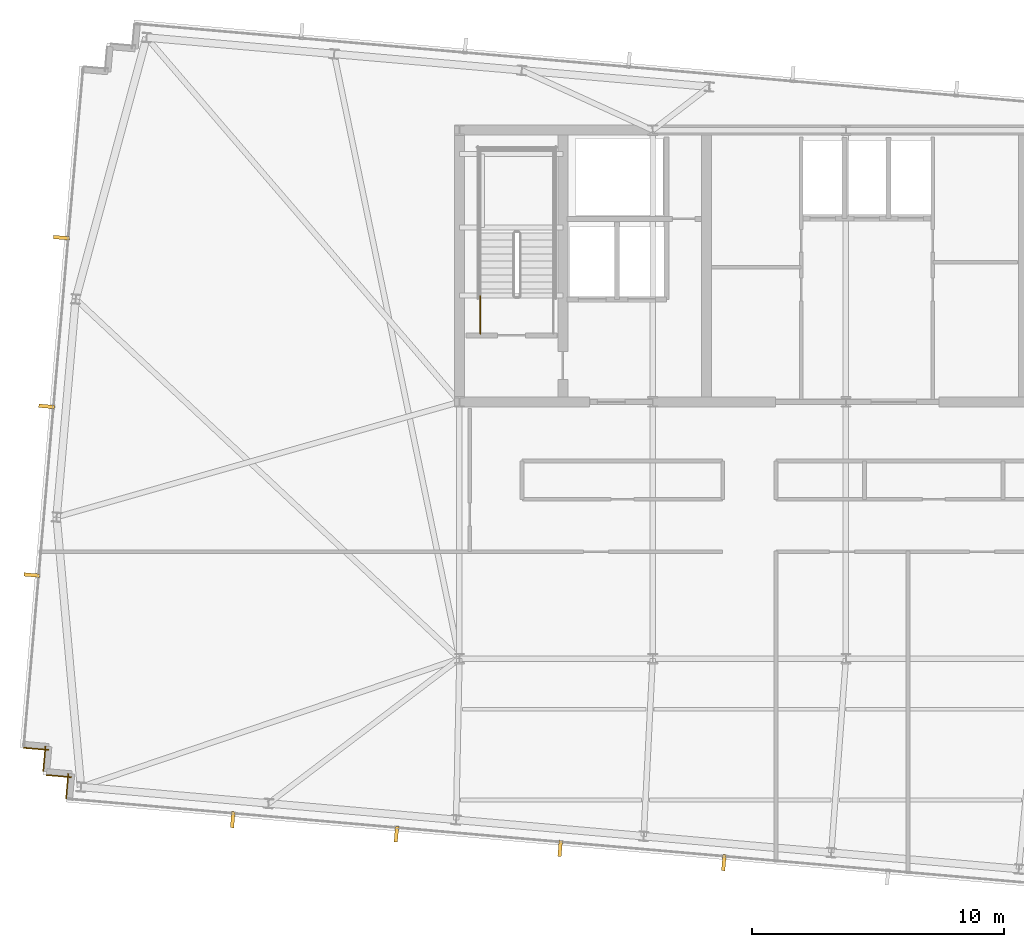
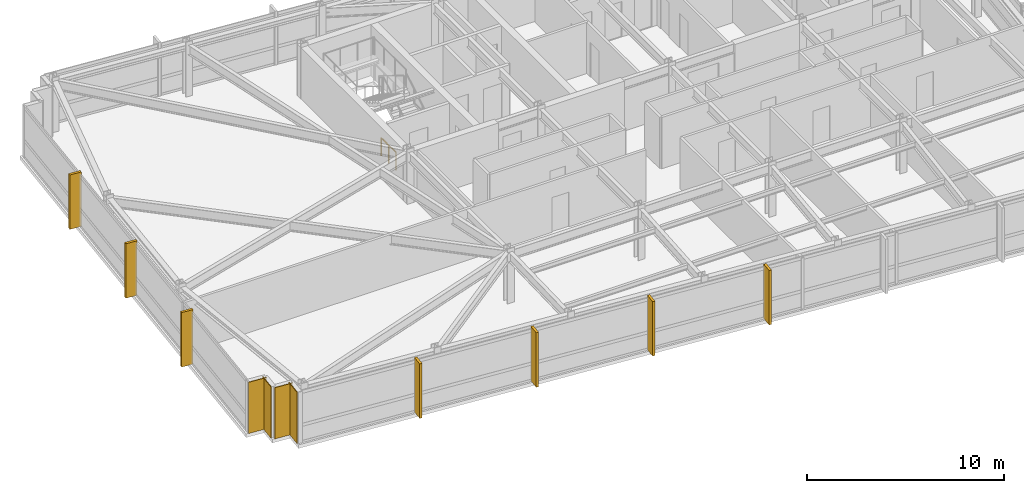
# One storey, part 21 of 24: 7 shading devices, 4 coverings, 1 railing.
"""IFC4 building model written with IfcOpenShell, lengths in metres."""

from ifc_helpers import new_model, si_unit, direction, frame, frame_2d, origin, origin_2d, place, context, subcontext, project, spatial, rectangle, circle, extrude, material, layer, layer_set, type_object, element, save


model = new_model("IFC4")

# Units and contexts
model_context = context("Model", 3, precision=1e-05, world=origin(), true_north=direction((0.0, 1.0)))
body_context = subcontext(model_context, "Body", "Model", "MODEL_VIEW")
ifc_project = project(units=[si_unit("LENGTHUNIT", "METRE"), si_unit("AREAUNIT", "SQUARE_METRE"), si_unit("VOLUMEUNIT", "CUBIC_METRE"), si_unit("PLANEANGLEUNIT", "RADIAN"), si_unit("MASSUNIT", "GRAM", prefix="KILO")], contexts=[model_context])

# Site, building, storey
site_placement = place(None, origin())
site = spatial("IfcSite", under=ifc_project, at=site_placement, CompositionType="ELEMENT")
building_placement = place(site_placement, origin())
building = spatial("IfcBuilding", under=site, at=building_placement, Name="Yelkora Congress Tower", CompositionType="ELEMENT")
storey_placement = place(building_placement, frame((0.0, 0.0, 296.5)))
storey = spatial("IfcBuildingStorey", under=building, at=storey_placement, Name="L83", CompositionType="ELEMENT", Elevation=296.5)

# Coverings
ifc_material_1 = material(Name="Anatolian bush-hammered limestone", Category="masonry")
ifc_layer_1 = layer(ifc_material_1, 0.0400390625)
ifc_layer_set_1 = layer_set([ifc_layer_1], Name="Anatolian bush-hammered limestone")
covering_type = type_object("IfcCoveringType", Name="COV-CLAD-SPANDREL-40", PredefinedType="CLADDING", material=ifc_layer_set_1)
for number, where, z_axis, x_axis, name in (
    (1, (7.41064453125, 19.63720703125, 0.0), (0.0, 0.0, 1.0), (0.087166950281, 0.996193717496, 0.0), "L83 Anatolian Limestone Cladding EW-L83-SR01"),
    (2, (7.62060546875, 20.4873046875, 0.0), (0.0, 0.0, 1.0), (-0.996214890596, 0.086924632611, 0.0), "L83 Anatolian Limestone Cladding EW-L83-SR02"),
):
    element("IfcCovering", number, at=place(storey_placement, frame(where, z_axis=z_axis, x_axis=x_axis)), inside=storey, type_object=covering_type, Name=name, PredefinedType="CLADDING", context=body_context, shape_type="SweptSolid", body=[
        extrude(rectangle(XDim=1.0, YDim=0.0400390625, at=frame_2d((0.5, 0.0))), origin(), (0.0, 0.0, 1.0), 3.179931640625),
    ])
covering_1_placement = place(storey_placement, frame((6.501708984375, 20.720458984375, 0.0), z_axis=(0.0, 0.0, 1.0), x_axis=(0.087145753297, 0.996195572005, 0.0)))
element("IfcCovering", 3, at=covering_1_placement, inside=storey, type_object=covering_type, Name="L83 Anatolian Limestone Cladding EW-L83-SR03", PredefinedType="CLADDING", context=body_context, shape_type="SweptSolid", body=[
    extrude(rectangle(XDim=1.000244140625, YDim=0.0400390625, at=frame_2d((0.5, 0.0))), origin(), (0.0, 0.0, 1.0), 3.179931640625),
])
covering_2_placement = place(storey_placement, frame((6.71142578125, 21.570556640625, 0.0), z_axis=(0.0, 0.0, 1.0), x_axis=(-0.996193717496, 0.087166950281, 0.0)))
element("IfcCovering", 4, at=covering_2_placement, inside=storey, type_object=covering_type, Name="L83 Anatolian Limestone Cladding EW-L83-SR04", PredefinedType="CLADDING", context=body_context, shape_type="SweptSolid", body=[
    extrude(rectangle(XDim=1.0, YDim=0.0400390625, at=frame_2d((0.5, 0.0))), origin(), (0.0, 0.0, 1.0), 3.179931640625),
])

# Railing
ifc_material_2 = material(Name="Painted galvanised steel stair well guard with vertical infill", Category="steel")
ifc_layer_2 = layer(ifc_material_2, 0.06005859375)
ifc_layer_set_2 = layer_set([ifc_layer_2], Name="Painted galvanised steel stair well guard with vertical infill")
railing_type = type_object("IfcRailingType", Name="RAIL-STAIR-GUARD-1120", PredefinedType="GUARDRAIL", material=ifc_layer_set_2)
railing_placement = place(storey_placement, frame((23.8701171875, 38.1201171875, 0.0)))
element("IfcRailing", 5, at=railing_placement, inside=storey, type_object=railing_type, Name="ST-01 L83 Stair Well Guardrail 9", PredefinedType="GUARDRAIL", context=body_context, shape_type="SweptSolid", body=[
    extrude(circle(Radius=0.02392578125, at=origin_2d()), frame((0.0, 0.0, 1.09619140625), z_axis=(0.0, 1.0, 0.0), x_axis=(-1.0, 0.0, 0.0)), (0.0, 0.0, 1.0), 1.47998046875),
    extrude(circle(Radius=0.02099609375, at=origin_2d()), origin(), (0.0, 0.0, 1.0), 1.072021484375),
    extrude(circle(Radius=0.02099609375, at=origin_2d()), frame((0.0, 0.739990234375, 0.0)), (0.0, 0.0, 1.0), 1.072021484375),
    extrude(circle(Radius=0.02099609375, at=origin_2d()), frame((0.0, 1.47998046875, 0.0)), (0.0, 0.0, 1.0), 1.072021484375),
])

# Shading devices
ifc_material_3 = material(Name="Champagne anodised aluminium", Category="aluminium")
ifc_layer_3 = layer(ifc_material_3, 3.39990234375)
ifc_layer_set_3 = layer_set([ifc_layer_3], Name="Champagne anodised aluminium")
shading_device_type = type_object("IfcShadingDeviceType", Name="SHD-FIN-ALU-640", PredefinedType="USERDEFINED", material=ifc_layer_set_3)
for number, where, z_axis, x_axis, name in (
    (6, (6.0546875, 28.519287109375, -0.030029296875), (0.0, 0.0, 1.0), (0.087155742748, 0.996194698092, 0.0), "L83 Vertical Anodised Solar Fin 5-1"),
    (7, (6.64111328125, 35.2236328125, -0.030029296875), (0.0, 0.0, 1.0), (0.087155742748, 0.996194698092, 0.0), "L83 Vertical Anodised Solar Fin 5-2"),
    (8, (7.227783203125, 41.927978515625, -0.030029296875), (0.0, 0.0, 1.0), (0.087155742748, 0.996194698092, 0.0), "L83 Vertical Anodised Solar Fin 5-3"),
    (9, (33.548828125, 17.08935546875, -0.030029296875), (0.0, 0.0, 1.0), (-0.996194698092, 0.087155742748, 0.0), "L83 Vertical Anodised Solar Fin 20-3"),
    (10, (27.042236328125, 17.65869140625, -0.030029296875), (0.0, 0.0, 1.0), (-0.996194698092, 0.087155742748, 0.0), "L83 Vertical Anodised Solar Fin 20-4"),
    (11, (20.53564453125, 18.227783203125, -0.030029296875), (0.0, 0.0, 1.0), (-0.996194698092, 0.087155742748, 0.0), "L83 Vertical Anodised Solar Fin 20-5"),
    (12, (14.029052734375, 18.797119140625, -0.030029296875), (0.0, 0.0, 1.0), (-0.996194698092, 0.087155742748, 0.0), "L83 Vertical Anodised Solar Fin 20-6"),
):
    element("IfcShadingDevice", number, at=place(storey_placement, frame(where, z_axis=z_axis, x_axis=x_axis)), inside=storey, type_object=shading_device_type, Name=name, ObjectType="FIN", PredefinedType="USERDEFINED", context=body_context, shape_type="SweptSolid", body=[
        extrude(rectangle(XDim=0.139892578125, YDim=0.639892578125, at=origin_2d()), origin(), (0.0, 0.0, 1.0), 3.3798828125),
    ])

save(model, "model.ifc")
